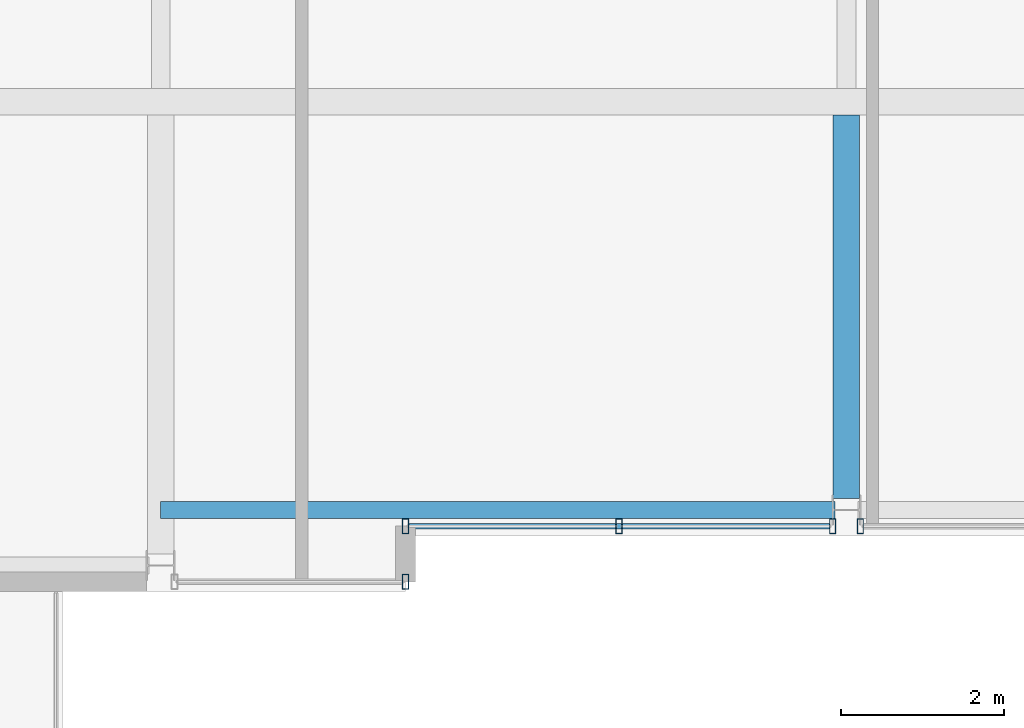
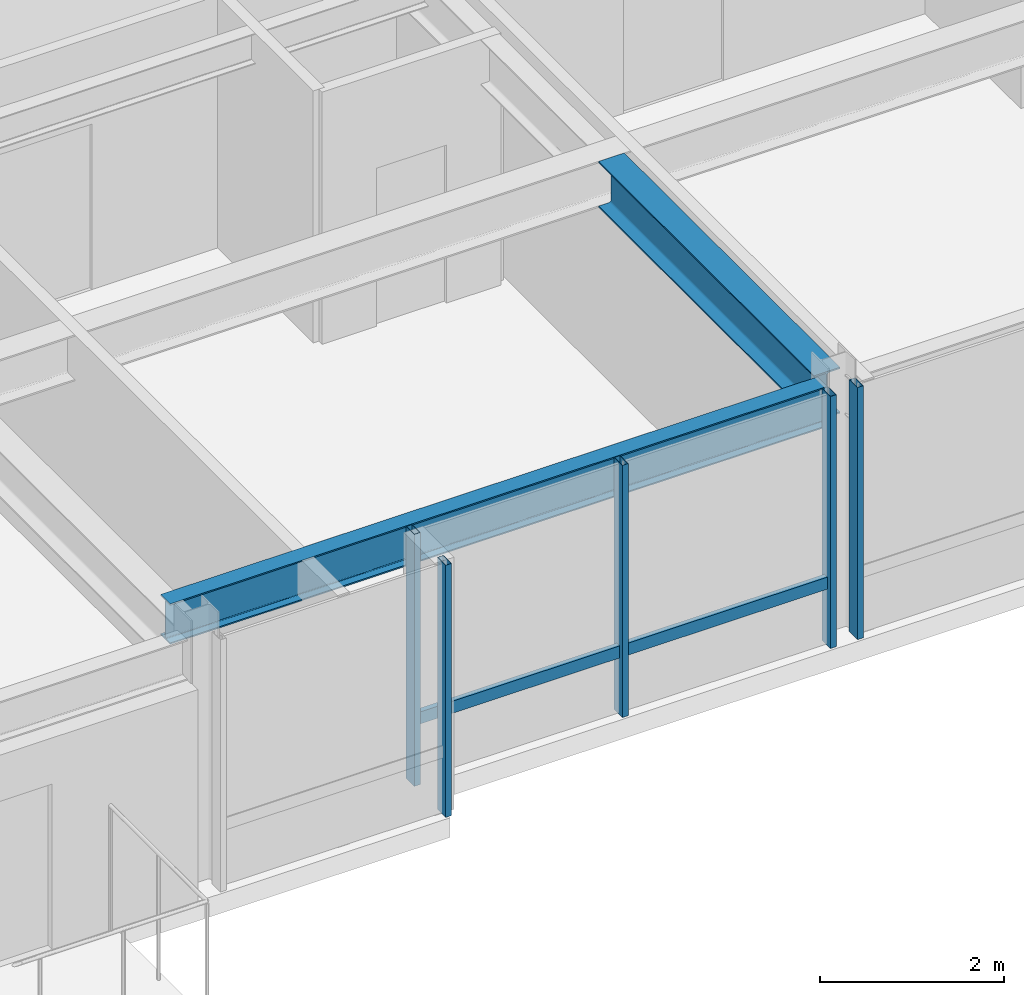
# One storey, part 7 of 34: 6 members, 2 beams, 3 elements without a shape of their own.
"""IFC4 building model written with IfcOpenShell, lengths in metres."""

from ifc_helpers import new_model, si_unit, direction, frame, origin, origin_2d, place, context, subcontext, project, spatial, hollow_rectangle, i_section, extrude, material, layer, layer_set, material_profile, profile_set, type_object, element, aggregate, save


model = new_model("IFC4")

# Units and contexts
model_context = context("Model", 3, precision=1e-05, world=origin(), true_north=direction((0.0, 1.0)))
body_context = subcontext(model_context, "Body", "Model", "MODEL_VIEW")
ifc_project = project(units=[si_unit("LENGTHUNIT", "METRE"), si_unit("AREAUNIT", "SQUARE_METRE"), si_unit("VOLUMEUNIT", "CUBIC_METRE"), si_unit("PLANEANGLEUNIT", "RADIAN"), si_unit("MASSUNIT", "GRAM", prefix="KILO")], contexts=[model_context])

# Site, building, storey
site_placement = place(None, origin())
site = spatial("IfcSite", under=ifc_project, at=site_placement, CompositionType="ELEMENT")
building_placement = place(site_placement, origin())
building = spatial("IfcBuilding", under=site, at=building_placement, Name="Drelvath Grand Hotel", CompositionType="ELEMENT")
storey_placement = place(building_placement, frame((0.0, 0.0, 290.550048828125)))
storey = spatial("IfcBuildingStorey", under=building, at=storey_placement, Name="L76", CompositionType="ELEMENT", Elevation=290.550048828125)

# Curtain wall, members
ifc_material_1 = material(Name="Platinum-Mist Anodised Aluminium Frame", Category="aluminium")
ifc_layer = layer(ifc_material_1, 0.199951171875)
ifc_layer_set = layer_set([ifc_layer], Name="Platinum-Mist Anodised Aluminium Frame")
curtain_wall_type = type_object("IfcCurtainWallType", Name="Stick Curtain Wall CW-05 Platinum Mist High-Rise", PredefinedType="NOTDEFINED", material=ifc_layer_set)
curtain_wall_1_placement = place(storey_placement, origin())
curtain_wall_1 = element("IfcCurtainWall", 1, at=curtain_wall_1_placement, inside=storey, type_object=curtain_wall_type, Name="L76 CW-05 Curtain Wall CW05-L76-SM1", PredefinedType="NOTDEFINED")
ifc_material_profile_1 = material_profile(ifc_material_1, hollow_rectangle(XDim=0.06494140625, YDim=0.159912109375, WallThickness=0.00390625, at=origin_2d()), Name="HSS160X65X4")
ifc_profile_set_1 = profile_set([ifc_material_profile_1], Name="Platinum-Mist Anodised Aluminium Frame")
member_type_1 = type_object("IfcMemberType", Name="Curtain Wall Horizontal Transom CW-05 HSS160X65X4", PredefinedType="USERDEFINED", material=ifc_profile_set_1)
member_1_placement = place(storey_placement, frame((-0.210205078125, 5.60009765625, 0.83740234375), z_axis=(-1.0, 0.0, 0.0), x_axis=(0.0, -1.0, 0.0)))
member_1 = element("IfcMember", 2, at=member_1_placement, type_object=member_type_1, Name="CW05-L76-SM1 Sill Transom", ObjectType="TRANSOM", PredefinedType="USERDEFINED", context=body_context, shape_type="SweptSolid", body=[
    extrude(hollow_rectangle(XDim=0.06494140625, YDim=0.159912109375, WallThickness=0.00390625, at=origin_2d()), origin(), (0.0, 0.0, 1.0), 5.14990234375),
])
ifc_material_profile_2 = material_profile(ifc_material_1, hollow_rectangle(XDim=0.074951171875, YDim=0.179931640625, WallThickness=0.0048828125, at=origin_2d()), Name="HSS180X75X5")
ifc_profile_set_2 = profile_set([ifc_material_profile_2], Name="Platinum-Mist Anodised Aluminium Frame")
member_type_2 = type_object("IfcMemberType", Name="Curtain Wall Vertical Mullion CW-05 HSS180X75X5", PredefinedType="MULLION", material=ifc_profile_set_2)
member_2_placement = place(storey_placement, frame((-0.170166015625, 5.60009765625, 0.0), z_axis=(0.0, 0.0, 1.0), x_axis=(1.0, 0.0, 0.0)))
member_2 = element("IfcMember", 3, at=member_2_placement, type_object=member_type_2, Name="CW05-L76-SM1 Mullion 1", PredefinedType="MULLION", context=body_context, shape_type="SweptSolid", body=[
    extrude(hollow_rectangle(XDim=0.074951171875, YDim=0.179931640625, WallThickness=0.0048828125, at=origin_2d()), origin(), (0.0, 0.0, 1.0), 3.349853515625),
])
member_3_placement = place(storey_placement, frame((-2.78515625, 5.60009765625, 0.0), z_axis=(0.0, 0.0, 1.0), x_axis=(1.0, 0.0, 0.0)))
member_3 = element("IfcMember", 4, at=member_3_placement, type_object=member_type_2, Name="CW05-L76-SM1 Mullion 2", PredefinedType="MULLION", context=body_context, shape_type="SweptSolid", body=[
    extrude(hollow_rectangle(XDim=0.074951171875, YDim=0.179931640625, WallThickness=0.0048828125, at=origin_2d()), origin(), (0.0, 0.0, 1.0), 3.349853515625),
])
member_4_placement = place(storey_placement, frame((-5.39990234375, 5.60009765625, 0.0), z_axis=(0.0, 0.0, 1.0), x_axis=(1.0, 0.0, 0.0)))
member_4 = element("IfcMember", 5, at=member_4_placement, type_object=member_type_2, Name="CW05-L76-SM1 Mullion 3", PredefinedType="MULLION", context=body_context, shape_type="SweptSolid", body=[
    extrude(hollow_rectangle(XDim=0.074951171875, YDim=0.179931640625, WallThickness=0.0048828125, at=origin_2d()), origin(), (0.0, 0.0, 1.0), 3.349853515625),
])
aggregate(curtain_wall_1, [member_2, member_3, member_4, member_1])

# Curtain wall, member
curtain_wall_2_placement = place(storey_placement, origin())
curtain_wall_2 = element("IfcCurtainWall", 6, at=curtain_wall_2_placement, inside=storey, type_object=curtain_wall_type, Name="L76 CW-05 Curtain Wall CW05-L76-SM2", PredefinedType="NOTDEFINED")
member_5_placement = place(storey_placement, frame((0.170166015625, 5.60009765625, 0.0), z_axis=(0.0, 0.0, 1.0), x_axis=(1.0, 0.0, 0.0)))
member_5 = element("IfcMember", 7, at=member_5_placement, type_object=member_type_2, Name="CW05-L76-SM2 Mullion 3", PredefinedType="MULLION", context=body_context, shape_type="SweptSolid", body=[
    extrude(hollow_rectangle(XDim=0.074951171875, YDim=0.179931640625, WallThickness=0.0048828125, at=origin_2d()), origin(), (0.0, 0.0, 1.0), 3.349853515625),
])
aggregate(curtain_wall_2, [member_5])

curtain_wall_3_placement = place(storey_placement, origin())
curtain_wall_3 = element("IfcCurtainWall", 8, at=curtain_wall_3_placement, inside=storey, type_object=curtain_wall_type, Name="L76 CW-05 Curtain Wall CW05-L76-SW2", PredefinedType="NOTDEFINED")
member_6_placement = place(storey_placement, frame((-5.39990234375, 4.919921875, 0.0), z_axis=(0.0, 0.0, 1.0), x_axis=(1.0, 0.0, 0.0)))
member_6 = element("IfcMember", 9, at=member_6_placement, type_object=member_type_2, Name="CW05-L76-SW2 Mullion 1", PredefinedType="MULLION", context=body_context, shape_type="SweptSolid", body=[
    extrude(hollow_rectangle(XDim=0.074951171875, YDim=0.179931640625, WallThickness=0.0048828125, at=origin_2d()), origin(), (0.0, 0.0, 1.0), 3.349853515625),
])
aggregate(curtain_wall_3, [member_6])

# Beams
ifc_material_2 = material(Name="Steel ASTM A992 Gr 50", Category="steel")
ifc_material_profile_3 = material_profile(ifc_material_2, i_section(OverallWidth=0.210205078125, OverallDepth=0.53662109375, WebThickness=0.010986328125, FlangeThickness=0.017333984375, FilletRadius=0.01806640625, at=origin_2d()), Name="W21X68")
ifc_profile_set_3 = profile_set([ifc_material_profile_3], Name="Steel ASTM A992 Gr 50")
beam_type_1 = type_object("IfcBeamType", Name="Perimeter Spandrel Beam W21X68", PredefinedType="SPANDREL", material=ifc_profile_set_3)
beam_1_placement = place(storey_placement, frame((-8.39990234375, 5.800048828125, 3.08154296875), z_axis=(1.0, 0.0, 0.0), x_axis=(0.0, 1.0, 0.0)))
element("IfcBeam", 10, at=beam_1_placement, inside=storey, type_object=beam_type_1, Name="L76 Spandrel South Mid W", PredefinedType="SPANDREL", context=body_context, shape_type="SweptSolid", body=[
    extrude(i_section(OverallWidth=0.210205078125, OverallDepth=0.53662109375, WebThickness=0.010986328125, FlangeThickness=0.017333984375, FilletRadius=0.01806640625, at=origin_2d()), origin(), (0.0, 0.0, 1.0), 8.260009765625),
])
ifc_material_profile_4 = material_profile(ifc_material_2, i_section(OverallWidth=0.323974609375, OverallDepth=0.611083984375, WebThickness=0.0126953125, FlangeThickness=0.01904296875, FilletRadius=0.02197265625, at=origin_2d()), Name="W24X104")
ifc_profile_set_4 = profile_set([ifc_material_profile_4], Name="Steel ASTM A992 Gr 50")
beam_type_2 = type_object("IfcBeamType", Name="Primary Floor Girder W24X104", PredefinedType="BEAM", material=ifc_profile_set_4)
beam_2_placement = place(storey_placement, frame((0.0, 5.93994140625, 3.04443359375), z_axis=(0.0, 1.0, 0.0), x_axis=(-1.0, 0.0, 0.0)))
element("IfcBeam", 11, at=beam_2_placement, inside=storey, type_object=beam_type_2, Name="L76 South Wing Girder 5", PredefinedType="BEAM", context=body_context, shape_type="SweptSolid", body=[
    extrude(i_section(OverallWidth=0.323974609375, OverallDepth=0.611083984375, WebThickness=0.0126953125, FlangeThickness=0.01904296875, FilletRadius=0.02197265625, at=origin_2d()), origin(), (0.0, 0.0, 1.0), 4.697998046875),
])

save(model, "model.ifc")
